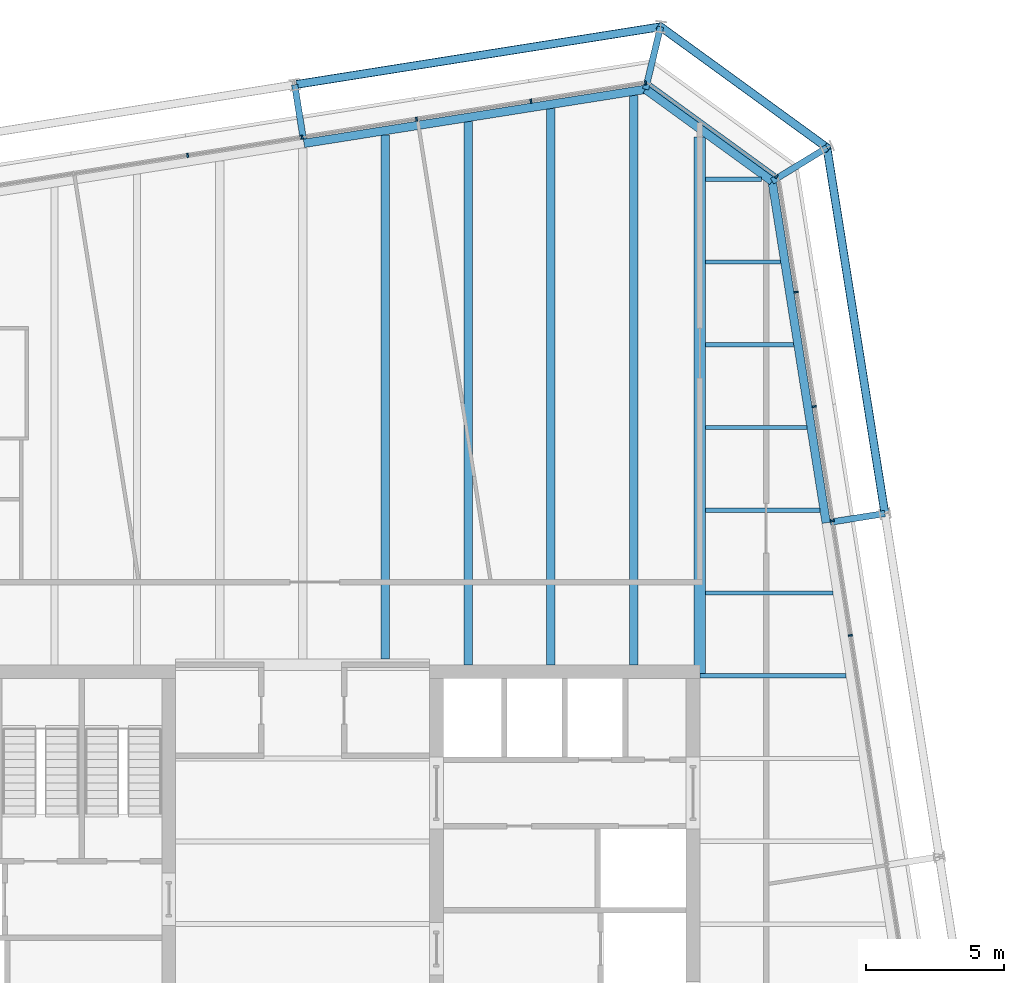
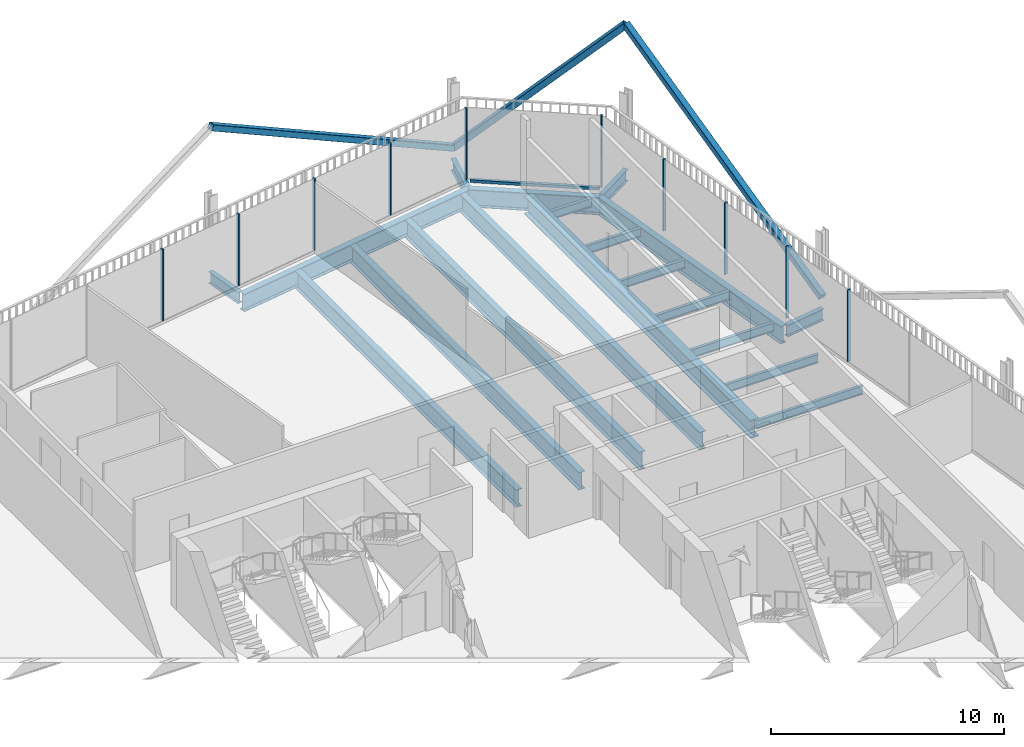
# One storey, part 15 of 21: 19 beams, 14 members, 3 elements without a shape of their own.
"""IFC4 building model written with IfcOpenShell, lengths in metres."""

from ifc_helpers import new_model, si_unit, direction, frame, origin, origin_2d, place, context, subcontext, project, spatial, rectangle, hollow_rectangle, i_section, extrude, material, layer, layer_set, material_profile, profile_set, type_object, element, aggregate, save


model = new_model("IFC4")

# Units and contexts
model_context = context("Model", 3, precision=1e-05, world=origin(), true_north=direction((0.0, 1.0)))
body_context = subcontext(model_context, "Body", "Model", "MODEL_VIEW")
ifc_project = project(units=[si_unit("LENGTHUNIT", "METRE"), si_unit("AREAUNIT", "SQUARE_METRE"), si_unit("VOLUMEUNIT", "CUBIC_METRE"), si_unit("PLANEANGLEUNIT", "RADIAN"), si_unit("MASSUNIT", "GRAM", prefix="KILO")], contexts=[model_context])

# Site, building, storey
site_placement = place(None, origin())
site = spatial("IfcSite", under=ifc_project, at=site_placement, CompositionType="ELEMENT")
building_placement = place(site_placement, origin())
building = spatial("IfcBuilding", under=site, at=building_placement, Name="Millrace Tower", CompositionType="ELEMENT")
storey_placement = place(building_placement, frame((0.0, 0.0, 228.10009765625)))
storey = spatial("IfcBuildingStorey", under=building, at=storey_placement, Name="L52", CompositionType="ELEMENT", Elevation=228.10009765625)

# Curtain wall, members
ifc_material_1 = material(Name="Aluminium and glass", Category="aluminium")
ifc_layer = layer(ifc_material_1, 0.14990234375)
ifc_layer_set = layer_set([ifc_layer], Name="Aluminium and glass")
curtain_wall_type = type_object("IfcCurtainWallType", Name="CW-1 office vision curtain wall", PredefinedType="NOTDEFINED", material=ifc_layer_set)
placement = place(storey_placement, origin())
curtain_wall_1 = element("IfcCurtainWall", 1, at=placement, inside=storey, type_object=curtain_wall_type, Name="Curtain wall D-F04 L52", PredefinedType="NOTDEFINED")
ifc_material_2 = material(Name="Aluminium", Category="aluminium")
ifc_material_profile_1 = material_profile(ifc_material_2, rectangle(XDim=0.06494140625, YDim=0.14990234375, at=origin_2d()))
ifc_profile_set_1 = profile_set([ifc_material_profile_1], Name="Aluminium")
member_type_1 = type_object("IfcMemberType", Name="CW-1 office vision curtain wall mullion", PredefinedType="MULLION", material=ifc_profile_set_1)
member_1_placement = place(storey_placement, frame((19.857421875, 10.466064453125, 0.139892578125), z_axis=(0.0, 0.0, 1.0), x_axis=(-0.156434471884, 0.987688339511, 0.0)))
member_1 = element("IfcMember", 2, at=member_1_placement, type_object=member_type_1, Name="CW1 mullion D-F04.6", PredefinedType="MULLION", context=body_context, shape_type="SweptSolid", body=[
    extrude(rectangle(XDim=0.06494140625, YDim=0.14990234375, at=origin_2d()), origin(), (0.0, 0.0, 1.0), 3.760009765625),
])
member_2_placement = place(storey_placement, frame((19.2001953125, 14.6142578125, 0.139892578125), z_axis=(0.0, 0.0, 1.0), x_axis=(-0.156434471884, 0.987688339511, 0.0)))
member_2 = element("IfcMember", 3, at=member_2_placement, type_object=member_type_1, Name="CW1 mullion D-F04.7", PredefinedType="MULLION", context=body_context, shape_type="SweptSolid", body=[
    extrude(rectangle(XDim=0.06494140625, YDim=0.14990234375, at=origin_2d()), origin(), (0.0, 0.0, 1.0), 3.760009765625),
])
member_3_placement = place(storey_placement, frame((18.543212890625, 18.762451171875, 0.139892578125), z_axis=(0.0, 0.0, 1.0), x_axis=(-0.156434471884, 0.987688339511, 0.0)))
member_3 = element("IfcMember", 4, at=member_3_placement, type_object=member_type_1, Name="CW1 mullion D-F04.8", PredefinedType="MULLION", context=body_context, shape_type="SweptSolid", body=[
    extrude(rectangle(XDim=0.06494140625, YDim=0.14990234375, at=origin_2d()), origin(), (0.0, 0.0, 1.0), 3.760009765625),
])
member_4_placement = place(storey_placement, frame((17.88623046875, 22.910888671875, 0.139892578125), z_axis=(0.0, 0.0, 1.0), x_axis=(-0.156434471884, 0.987688339511, 0.0)))
member_4 = element("IfcMember", 5, at=member_4_placement, type_object=member_type_1, Name="CW1 mullion D-F04.9", PredefinedType="MULLION", context=body_context, shape_type="SweptSolid", body=[
    extrude(rectangle(XDim=0.06494140625, YDim=0.14990234375, at=origin_2d()), origin(), (0.0, 0.0, 1.0), 3.760009765625),
])
aggregate(curtain_wall_1, [member_1, member_2, member_3, member_4])

# Curtain wall, member
curtain_wall_2 = element("IfcCurtainWall", 6, at=placement, inside=storey, type_object=curtain_wall_type, Name="Curtain wall D-F05 L52", PredefinedType="NOTDEFINED")
member_5_placement = place(storey_placement, frame((17.177978515625, 27.094970703125, 0.139892578125), z_axis=(0.0, 0.0, 1.0), x_axis=(-0.809016955361, 0.587785305991, 0.0)))
member_5 = element("IfcMember", 7, at=member_5_placement, type_object=member_type_1, Name="CW1 mullion D-F05.1", PredefinedType="MULLION", context=body_context, shape_type="SweptSolid", body=[
    extrude(rectangle(XDim=0.06494140625, YDim=0.14990234375, at=origin_2d()), origin(), (0.0, 0.0, 1.0), 3.760009765625),
])

# Curtain wall, members
curtain_wall_3 = element("IfcCurtainWall", 8, at=placement, inside=storey, type_object=curtain_wall_type, Name="Curtain wall D-F06 L52", PredefinedType="NOTDEFINED")
member_6_placement = place(storey_placement, frame((12.425537109375, 30.492431640625, 0.139892578125), z_axis=(0.0, 0.0, 1.0), x_axis=(-0.987688339511, -0.156434471884, 0.0)))
member_6 = element("IfcMember", 9, at=member_6_placement, type_object=member_type_1, Name="CW1 mullion D-F06.1", PredefinedType="MULLION", context=body_context, shape_type="SweptSolid", body=[
    extrude(rectangle(XDim=0.06494140625, YDim=0.14990234375, at=origin_2d()), origin(), (0.0, 0.0, 1.0), 3.760009765625),
])
member_7_placement = place(storey_placement, frame((8.277099609375, 29.83544921875, 0.139892578125), z_axis=(0.0, 0.0, 1.0), x_axis=(-0.987688339511, -0.156434471884, 0.0)))
member_7 = element("IfcMember", 10, at=member_7_placement, type_object=member_type_1, Name="CW1 mullion D-F06.2", PredefinedType="MULLION", context=body_context, shape_type="SweptSolid", body=[
    extrude(rectangle(XDim=0.06494140625, YDim=0.14990234375, at=origin_2d()), origin(), (0.0, 0.0, 1.0), 3.760009765625),
])
member_8_placement = place(storey_placement, frame((4.12890625, 29.178466796875, 0.139892578125), z_axis=(0.0, 0.0, 1.0), x_axis=(-0.987688339511, -0.156434471884, 0.0)))
member_8 = element("IfcMember", 11, at=member_8_placement, type_object=member_type_1, Name="CW1 mullion D-F06.3", PredefinedType="MULLION", context=body_context, shape_type="SweptSolid", body=[
    extrude(rectangle(XDim=0.06494140625, YDim=0.14990234375, at=origin_2d()), origin(), (0.0, 0.0, 1.0), 3.760009765625),
])
member_9_placement = place(storey_placement, frame((-0.019287109375, 28.521240234375, 0.139892578125), z_axis=(0.0, 0.0, 1.0), x_axis=(-0.987688339511, -0.156434471884, 0.0)))
member_9 = element("IfcMember", 12, at=member_9_placement, type_object=member_type_1, Name="CW1 mullion D-F06.4", PredefinedType="MULLION", context=body_context, shape_type="SweptSolid", body=[
    extrude(rectangle(XDim=0.06494140625, YDim=0.14990234375, at=origin_2d()), origin(), (0.0, 0.0, 1.0), 3.760009765625),
])
member_10_placement = place(storey_placement, frame((-4.167724609375, 27.8642578125, 0.139892578125), z_axis=(0.0, 0.0, 1.0), x_axis=(-0.987688339511, -0.156434471884, 0.0)))
member_10 = element("IfcMember", 13, at=member_10_placement, type_object=member_type_1, Name="CW1 mullion D-F06.5", PredefinedType="MULLION", context=body_context, shape_type="SweptSolid", body=[
    extrude(rectangle(XDim=0.06494140625, YDim=0.14990234375, at=origin_2d()), origin(), (0.0, 0.0, 1.0), 3.760009765625),
])
aggregate(curtain_wall_3, [member_6, member_7, member_8, member_9, member_10])

# Member
ifc_material_3 = material(Name="Aluminium", Category="aluminium")
ifc_material_profile_2 = material_profile(ifc_material_3, rectangle(XDim=0.14990234375, YDim=0.139892578125, at=origin_2d()))
ifc_profile_set_2 = profile_set([ifc_material_profile_2], Name="Aluminium")
member_type_2 = type_object("IfcMemberType", Name="CW-1 office vision curtain wall transom", PredefinedType="USERDEFINED", material=ifc_profile_set_2)
member_11_placement = place(storey_placement, frame((17.123291015625, 27.134765625, 0.06982421875), z_axis=(-0.809018869857, 0.587782670904, 0.0), x_axis=(-0.587782670904, -0.809018869857, 0.0)))
member_11 = element("IfcMember", 14, at=member_11_placement, type_object=member_type_2, Name="CW1 transom D-F05.1", ObjectType="TRANSOM", PredefinedType="USERDEFINED", context=body_context, shape_type="SweptSolid", body=[
    extrude(rectangle(XDim=0.14990234375, YDim=0.139892578125, at=origin_2d()), origin(), (0.0, 0.0, 1.0), 5.59814453125),
])

aggregate(curtain_wall_2, [member_5, member_11])

# Members
ifc_material_4 = material(Name="Steel ASTM A500 Grade C", Category="steel")
ifc_material_profile_3 = material_profile(ifc_material_4, hollow_rectangle(XDim=0.3046875, YDim=0.3046875, WallThickness=0.0126953125, InnerFilletRadius=0.00634765625, OuterFilletRadius=0.01904296875, at=origin_2d()))
ifc_profile_set_3 = profile_set([ifc_material_profile_3], Name="Steel ASTM A500 Grade C")
member_type_3 = type_object("IfcMemberType", Name="Exoskeleton brace HSS12x12x1/2", PredefinedType="BRACE", material=ifc_profile_set_3)
member_12_placement = place(storey_placement, frame((21.106689453125, 14.88330078125, 0.39990234375), z_axis=(-0.138712380788, 0.87583551821, 0.462245627841), x_axis=(-0.987689444837, -0.156427492975, 0.0)))
element("IfcMember", 15, at=member_12_placement, inside=storey, type_object=member_type_3, Name="BRC-D-L52-08", PredefinedType="BRACE", context=body_context, shape_type="SweptSolid", body=[
    extrude(hollow_rectangle(XDim=0.3046875, YDim=0.3046875, WallThickness=0.0126953125, InnerFilletRadius=0.00634765625, OuterFilletRadius=0.01904296875, at=origin_2d()), origin(), (0.0, 0.0, 1.0), 15.1435546875),
])
member_13_placement = place(storey_placement, frame((12.974609375, 32.5283203125, 0.39990234375), z_axis=(0.589795997835, -0.428482435505, 0.684502361867), x_axis=(0.587758820843, 0.809036197288, 0.0)))
element("IfcMember", 16, at=member_13_placement, inside=storey, type_object=member_type_3, Name="BRC-D-L52-09", PredefinedType="BRACE", context=body_context, shape_type="SweptSolid", body=[
    extrude(hollow_rectangle(XDim=0.3046875, YDim=0.3046875, WallThickness=0.0126953125, InnerFilletRadius=0.00634765625, OuterFilletRadius=0.01904296875, at=origin_2d()), origin(), (0.0, 0.0, 1.0), 10.226318359375),
])
member_14_placement = place(storey_placement, frame((12.974609375, 32.5283203125, 0.39990234375), z_axis=(-0.875831763156, -0.138714339442, 0.462252154868), x_axis=(0.156430301989, -0.987688999949, 0.0)))
element("IfcMember", 17, at=member_14_placement, inside=storey, type_object=member_type_3, Name="BRC-D-L52-10", PredefinedType="BRACE", context=body_context, shape_type="SweptSolid", body=[
    extrude(hollow_rectangle(XDim=0.3046875, YDim=0.3046875, WallThickness=0.0126953125, InnerFilletRadius=0.00634765625, OuterFilletRadius=0.01904296875, at=origin_2d()), origin(), (0.0, 0.0, 1.0), 15.143310546875),
])

# Beams
ifc_material_5 = material(Name="Steel ASTM A992 Grade 50", Category="steel")
ifc_material_profile_4 = material_profile(ifc_material_5, i_section(OverallWidth=0.15234375, OverallDepth=0.449462890625, WebThickness=0.007568359375, FlangeThickness=0.0107421875, FilletRadius=0.01025390625, at=origin_2d()))
ifc_profile_set_4 = profile_set([ifc_material_profile_4], Name="Steel ASTM A992 Grade 50")
beam_type_1 = type_object("IfcBeamType", Name="Floor beam W18x35", PredefinedType="JOIST", material=ifc_profile_set_4)
beam_1_placement = place(storey_placement, frame((14.39990234375, 9.0, -0.384765625), z_axis=(1.0, 0.0, 0.0), x_axis=(0.0, 1.0, 0.0)))
element("IfcBeam", 18, at=beam_1_placement, inside=storey, type_object=beam_type_1, Name="BM-D-L52-S1-S024", PredefinedType="JOIST", context=body_context, shape_type="SweptSolid", body=[
    extrude(i_section(OverallWidth=0.15234375, OverallDepth=0.449462890625, WebThickness=0.007568359375, FlangeThickness=0.0107421875, FilletRadius=0.01025390625, at=origin_2d()), origin(), (0.0, 0.0, 1.0), 5.302490234375),
])
beam_2_placement = place(storey_placement, frame((14.609619140625, 12.0, -0.384765625), z_axis=(1.0, 0.0, 0.0), x_axis=(0.0, 1.0, 0.0)))
element("IfcBeam", 19, at=beam_2_placement, inside=storey, type_object=beam_type_1, Name="BM-D-L52-S1-S026", PredefinedType="JOIST", context=body_context, shape_type="SweptSolid", body=[
    extrude(i_section(OverallWidth=0.15234375, OverallDepth=0.449462890625, WebThickness=0.007568359375, FlangeThickness=0.0107421875, FilletRadius=0.01025390625, at=origin_2d()), origin(), (0.0, 0.0, 1.0), 4.61767578125),
])
beam_3_placement = place(storey_placement, frame((14.609619140625, 15.0, -0.384765625), z_axis=(1.0, 0.0, 0.0), x_axis=(0.0, 1.0, 0.0)))
element("IfcBeam", 20, at=beam_3_placement, inside=storey, type_object=beam_type_1, Name="BM-D-L52-S1-S028", PredefinedType="JOIST", context=body_context, shape_type="SweptSolid", body=[
    extrude(i_section(OverallWidth=0.15234375, OverallDepth=0.449462890625, WebThickness=0.007568359375, FlangeThickness=0.0107421875, FilletRadius=0.01025390625, at=origin_2d()), origin(), (0.0, 0.0, 1.0), 4.142578125),
])
beam_4_placement = place(storey_placement, frame((14.609619140625, 18.0, -0.384765625), z_axis=(1.0, 0.0, 0.0), x_axis=(0.0, 1.0, 0.0)))
element("IfcBeam", 21, at=beam_4_placement, inside=storey, type_object=beam_type_1, Name="BM-D-L52-S1-S030", PredefinedType="JOIST", context=body_context, shape_type="SweptSolid", body=[
    extrude(i_section(OverallWidth=0.15234375, OverallDepth=0.449462890625, WebThickness=0.007568359375, FlangeThickness=0.0107421875, FilletRadius=0.01025390625, at=origin_2d()), origin(), (0.0, 0.0, 1.0), 3.667236328125),
])
beam_5_placement = place(storey_placement, frame((14.609619140625, 21.0, -0.384765625), z_axis=(1.0, 0.0, 0.0), x_axis=(0.0, 1.0, 0.0)))
element("IfcBeam", 22, at=beam_5_placement, inside=storey, type_object=beam_type_1, Name="BM-D-L52-S1-S032", PredefinedType="JOIST", context=body_context, shape_type="SweptSolid", body=[
    extrude(i_section(OverallWidth=0.15234375, OverallDepth=0.449462890625, WebThickness=0.007568359375, FlangeThickness=0.0107421875, FilletRadius=0.01025390625, at=origin_2d()), origin(), (0.0, 0.0, 1.0), 3.192138671875),
])
beam_6_placement = place(storey_placement, frame((14.609619140625, 24.0, -0.384765625), z_axis=(1.0, 0.0, 0.0), x_axis=(0.0, 1.0, 0.0)))
element("IfcBeam", 23, at=beam_6_placement, inside=storey, type_object=beam_type_1, Name="BM-D-L52-S1-S034", PredefinedType="JOIST", context=body_context, shape_type="SweptSolid", body=[
    extrude(i_section(OverallWidth=0.15234375, OverallDepth=0.449462890625, WebThickness=0.007568359375, FlangeThickness=0.0107421875, FilletRadius=0.01025390625, at=origin_2d()), origin(), (0.0, 0.0, 1.0), 2.717041015625),
])
beam_7_placement = place(storey_placement, frame((14.609619140625, 27.0, -0.384765625), z_axis=(1.0, 0.0, 0.0), x_axis=(0.0, 1.0, 0.0)))
element("IfcBeam", 24, at=beam_7_placement, inside=storey, type_object=beam_type_1, Name="BM-D-L52-S1-S035", PredefinedType="JOIST", context=body_context, shape_type="SweptSolid", body=[
    extrude(i_section(OverallWidth=0.15234375, OverallDepth=0.449462890625, WebThickness=0.007568359375, FlangeThickness=0.0107421875, FilletRadius=0.01025390625, at=origin_2d()), origin(), (0.0, 0.0, 1.0), 2.020751953125),
])
ifc_material_6 = material(Name="Steel ASTM A992 Grade 50", Category="steel")
ifc_material_profile_5 = material_profile(ifc_material_6, i_section(OverallWidth=0.307373046875, OverallDepth=0.927001953125, WebThickness=0.01953125, FlangeThickness=0.031982421875, FilletRadius=0.01904296875, at=origin_2d()))
ifc_profile_set_5 = profile_set([ifc_material_profile_5], Name="Steel ASTM A992 Grade 50")
beam_type_2 = type_object("IfcBeamType", Name="Floor beam W36x194", PredefinedType="JOIST", material=ifc_profile_set_5)
beam_8_placement = place(storey_placement, frame((3.0, 9.609619140625, -0.62353515625), z_axis=(0.0, 1.0, 0.0), x_axis=(-1.0, 0.0, 0.0)))
element("IfcBeam", 25, at=beam_8_placement, inside=storey, type_object=beam_type_2, Name="BM-D-L52-S1-S046", PredefinedType="JOIST", context=body_context, shape_type="SweptSolid", body=[
    extrude(i_section(OverallWidth=0.307373046875, OverallDepth=0.927001953125, WebThickness=0.01953125, FlangeThickness=0.031982421875, FilletRadius=0.01904296875, at=origin_2d()), origin(), (0.0, 0.0, 1.0), 19.0029296875),
])
beam_9_placement = place(storey_placement, frame((6.0, 9.39990234375, -0.62353515625), z_axis=(0.0, 1.0, 0.0), x_axis=(-1.0, 0.0, 0.0)))
element("IfcBeam", 26, at=beam_9_placement, inside=storey, type_object=beam_type_2, Name="BM-D-L52-S1-S048", PredefinedType="JOIST", context=body_context, shape_type="SweptSolid", body=[
    extrude(i_section(OverallWidth=0.307373046875, OverallDepth=0.927001953125, WebThickness=0.01953125, FlangeThickness=0.031982421875, FilletRadius=0.01904296875, at=origin_2d()), origin(), (0.0, 0.0, 1.0), 19.687744140625),
])
beam_10_placement = place(storey_placement, frame((9.0, 9.39990234375, -0.62353515625), z_axis=(0.0, 1.0, 0.0), x_axis=(-1.0, 0.0, 0.0)))
element("IfcBeam", 27, at=beam_10_placement, inside=storey, type_object=beam_type_2, Name="BM-D-L52-S1-S050", PredefinedType="JOIST", context=body_context, shape_type="SweptSolid", body=[
    extrude(i_section(OverallWidth=0.307373046875, OverallDepth=0.927001953125, WebThickness=0.01953125, FlangeThickness=0.031982421875, FilletRadius=0.01904296875, at=origin_2d()), origin(), (0.0, 0.0, 1.0), 20.162841796875),
])
beam_11_placement = place(storey_placement, frame((12.0, 9.39990234375, -0.62353515625), z_axis=(0.0, 1.0, 0.0), x_axis=(-1.0, 0.0, 0.0)))
element("IfcBeam", 28, at=beam_11_placement, inside=storey, type_object=beam_type_2, Name="BM-D-L52-S1-S052", PredefinedType="JOIST", context=body_context, shape_type="SweptSolid", body=[
    extrude(i_section(OverallWidth=0.307373046875, OverallDepth=0.927001953125, WebThickness=0.01953125, FlangeThickness=0.031982421875, FilletRadius=0.01904296875, at=origin_2d()), origin(), (0.0, 0.0, 1.0), 20.637939453125),
])
ifc_material_7 = material(Name="Steel ASTM A992 Grade 50", Category="steel")
ifc_material_profile_6 = material_profile(ifc_material_7, i_section(OverallWidth=0.424072265625, OverallDepth=0.947509765625, WebThickness=0.02392578125, FlangeThickness=0.042724609375, FilletRadius=0.024169921875, at=origin_2d()))
ifc_profile_set_6 = profile_set([ifc_material_profile_6], Name="Steel ASTM A992 Grade 50")
beam_type_3 = type_object("IfcBeamType", Name="Girder medium span W36x302", PredefinedType="BEAM", material=ifc_profile_set_6)
beam_12_placement = place(storey_placement, frame((14.39990234375, 9.080078125, -0.6337890625), z_axis=(0.0, 1.0, 0.0), x_axis=(-1.0, 0.0, 0.0)))
element("IfcBeam", 29, at=beam_12_placement, inside=storey, type_object=beam_type_3, Name="BM-D-L52-S1-G056", PredefinedType="BEAM", context=body_context, shape_type="SweptSolid", body=[
    extrude(i_section(OverallWidth=0.424072265625, OverallDepth=0.947509765625, WebThickness=0.02392578125, FlangeThickness=0.042724609375, FilletRadius=0.024169921875, at=origin_2d()), origin(), (0.0, 0.0, 1.0), 19.460693359375),
])
ifc_material_8 = material(Name="Steel ASTM A992 Grade 50", Category="steel")
ifc_material_profile_7 = material_profile(ifc_material_8, i_section(OverallWidth=0.23046875, OverallDepth=0.6171875, WebThickness=0.01318359375, FlangeThickness=0.022216796875, FilletRadius=0.012939453125, at=origin_2d()))
ifc_profile_set_7 = profile_set([ifc_material_profile_7], Name="Steel ASTM A992 Grade 50")
beam_type_4 = type_object("IfcBeamType", Name="Link beam W24x94", PredefinedType="BEAM", material=ifc_profile_set_7)
beam_13_placement = place(storey_placement, frame((0.0244140625, 28.452392578125, -0.46875), z_axis=(-0.15637629034, 0.987697552806, 0.0), x_axis=(-0.987697552806, -0.15637629034, 0.0)))
element("IfcBeam", 30, at=beam_13_placement, inside=storey, type_object=beam_type_4, Name="LNK-D-L52-S1-07", PredefinedType="BEAM", context=body_context, shape_type="SweptSolid", body=[
    extrude(i_section(OverallWidth=0.23046875, OverallDepth=0.6171875, WebThickness=0.01318359375, FlangeThickness=0.022216796875, FilletRadius=0.012939453125, at=origin_2d()), origin(), (0.0, 0.0, 1.0), 2.0),
])
beam_14_placement = place(storey_placement, frame((12.430419921875, 30.26171875, -0.46875), z_axis=(0.233456138164, 0.972367333652, 0.0), x_axis=(-0.972367333652, 0.233456138164, 0.0)))
element("IfcBeam", 31, at=beam_14_placement, inside=storey, type_object=beam_type_4, Name="LNK-D-L52-S1-08", PredefinedType="BEAM", context=body_context, shape_type="SweptSolid", body=[
    extrude(i_section(OverallWidth=0.23046875, OverallDepth=0.6171875, WebThickness=0.01318359375, FlangeThickness=0.022216796875, FilletRadius=0.012939453125, at=origin_2d()), origin(), (0.0, 0.0, 1.0), 2.3310546875),
])
beam_15_placement = place(storey_placement, frame((17.018310546875, 26.928466796875, -0.46875), z_axis=(0.852659946142, 0.5224662824, 0.0), x_axis=(-0.5224662824, 0.852659946142, 0.0)))
element("IfcBeam", 32, at=beam_15_placement, inside=storey, type_object=beam_type_4, Name="LNK-D-L52-S1-09", PredefinedType="BEAM", context=body_context, shape_type="SweptSolid", body=[
    extrude(i_section(OverallWidth=0.23046875, OverallDepth=0.6171875, WebThickness=0.01318359375, FlangeThickness=0.022216796875, FilletRadius=0.012939453125, at=origin_2d()), origin(), (0.0, 0.0, 1.0), 2.331298828125),
])
beam_16_placement = place(storey_placement, frame((19.13134765625, 14.5703125, -0.46875), z_axis=(0.987678691416, 0.156495375404, 0.0), x_axis=(-0.156495375404, 0.987678691416, 0.0)))
element("IfcBeam", 33, at=beam_16_placement, inside=storey, type_object=beam_type_4, Name="LNK-D-L52-S1-10", PredefinedType="BEAM", context=body_context, shape_type="SweptSolid", body=[
    extrude(i_section(OverallWidth=0.23046875, OverallDepth=0.6171875, WebThickness=0.01318359375, FlangeThickness=0.022216796875, FilletRadius=0.012939453125, at=origin_2d()), origin(), (0.0, 0.0, 1.0), 2.0),
])
ifc_material_9 = material(Name="Steel ASTM A992 Grade 50", Category="steel")
ifc_material_profile_8 = material_profile(ifc_material_9, i_section(OverallWidth=0.307373046875, OverallDepth=0.927001953125, WebThickness=0.01953125, FlangeThickness=0.031982421875, FilletRadius=0.01904296875, at=origin_2d()))
ifc_profile_set_8 = profile_set([ifc_material_profile_8], Name="Steel ASTM A992 Grade 50")
beam_type_5 = type_object("IfcBeamType", Name="Ring beam medium span W36x194", PredefinedType="SPANDREL", material=ifc_profile_set_8)
beam_17_placement = place(storey_placement, frame((0.048583984375, 28.300537109375, -0.62353515625), z_axis=(0.987687213011, 0.156441584157, 0.0), x_axis=(-0.156441584157, 0.987687213011, 0.0)))
element("IfcBeam", 34, at=beam_17_placement, inside=storey, type_object=beam_type_5, Name="RNG-D-L52-S1-07", PredefinedType="SPANDREL", context=body_context, shape_type="SweptSolid", body=[
    extrude(i_section(OverallWidth=0.307373046875, OverallDepth=0.927001953125, WebThickness=0.01953125, FlangeThickness=0.031982421875, FilletRadius=0.01904296875, at=origin_2d()), origin(), (0.0, 0.0, 1.0), 12.5361328125),
])
beam_18_placement = place(storey_placement, frame((17.018310546875, 26.928466796875, -0.62353515625), z_axis=(0.156438575049, -0.987687689625, 0.0), x_axis=(0.987687689625, 0.156438575049, 0.0)))
element("IfcBeam", 35, at=beam_18_placement, inside=storey, type_object=beam_type_5, Name="RNG-D-L52-S1-09", PredefinedType="SPANDREL", context=body_context, shape_type="SweptSolid", body=[
    extrude(i_section(OverallWidth=0.307373046875, OverallDepth=0.927001953125, WebThickness=0.01953125, FlangeThickness=0.031982421875, FilletRadius=0.01904296875, at=origin_2d()), origin(), (0.0, 0.0, 1.0), 12.536376953125),
])
ifc_material_10 = material(Name="Steel ASTM A992 Grade 50", Category="steel")
ifc_material_profile_9 = material_profile(ifc_material_10, i_section(OverallWidth=0.307373046875, OverallDepth=0.927001953125, WebThickness=0.01953125, FlangeThickness=0.031982421875, FilletRadius=0.01904296875, at=origin_2d()))
ifc_profile_set_9 = profile_set([ifc_material_profile_9], Name="Steel ASTM A992 Grade 50")
beam_type_6 = type_object("IfcBeamType", Name="Ring beam short span W36x194", PredefinedType="SPANDREL", material=ifc_profile_set_9)
beam_19_placement = place(storey_placement, frame((12.430419921875, 30.26171875, -0.62353515625), z_axis=(0.80902082646, -0.587779977844, 0.0), x_axis=(0.587779977844, 0.80902082646, 0.0)))
element("IfcBeam", 36, at=beam_19_placement, inside=storey, type_object=beam_type_6, Name="RNG-D-L52-S1-08", PredefinedType="SPANDREL", context=body_context, shape_type="SweptSolid", body=[
    extrude(i_section(OverallWidth=0.307373046875, OverallDepth=0.927001953125, WebThickness=0.01953125, FlangeThickness=0.031982421875, FilletRadius=0.01904296875, at=origin_2d()), origin(), (0.0, 0.0, 1.0), 5.6708984375),
])

save(model, "model.ifc")
